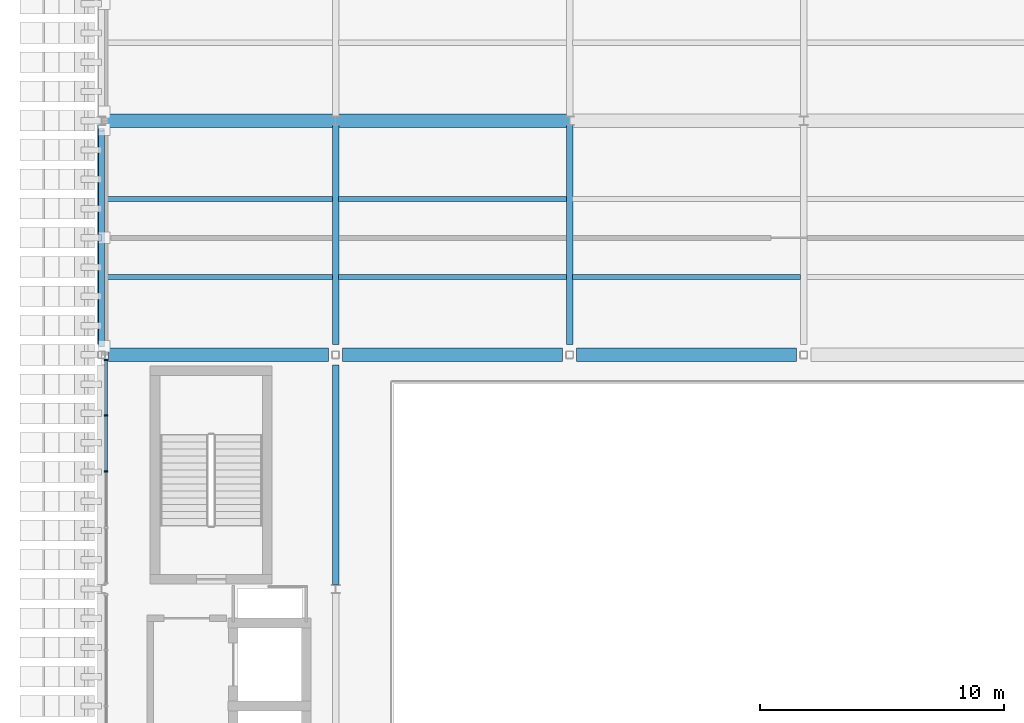
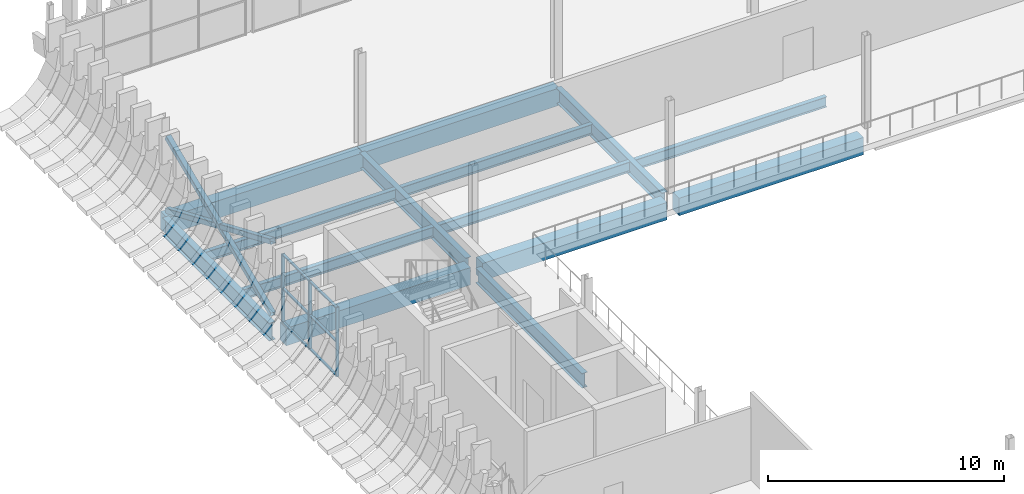
# One storey, part 21 of 100: 14 beams, 12 members, 1 element without a shape of its own.
"""IFC4 building model written with IfcOpenShell, lengths in metres."""

from ifc_helpers import new_model, si_unit, direction, frame, origin, origin_2d, place, context, subcontext, project, spatial, rectangle, hollow_rectangle, i_section, extrude, material, layer, layer_set, material_profile, profile_set, type_object, element, aggregate, save


model = new_model("IFC4")

# Units and contexts
model_context = context("Model", 3, precision=1e-05, world=origin(), true_north=direction((0.0, 1.0)))
body_context = subcontext(model_context, "Body", "Model", "MODEL_VIEW")
ifc_project = project(units=[si_unit("LENGTHUNIT", "METRE"), si_unit("AREAUNIT", "SQUARE_METRE"), si_unit("VOLUMEUNIT", "CUBIC_METRE"), si_unit("PLANEANGLEUNIT", "RADIAN"), si_unit("MASSUNIT", "GRAM", prefix="KILO")], contexts=[model_context])

# Site, building, storey
site_placement = place(None, origin())
site = spatial("IfcSite", under=ifc_project, at=site_placement, CompositionType="ELEMENT")
building_placement = place(site_placement, origin())
building = spatial("IfcBuilding", under=site, at=building_placement, Name="Caelomonte Colonnade Arena", CompositionType="ELEMENT")
storey_placement = place(building_placement, origin())
storey = spatial("IfcBuildingStorey", under=building, at=storey_placement, Name="L00", CompositionType="ELEMENT", Elevation=0.0)

# Curtain wall, members
ifc_material_1 = material(Name="Bronze anodised aluminium and low-E glazing", Category="aluminium")
ifc_layer = layer(ifc_material_1, 0.179931640625)
ifc_layer_set = layer_set([ifc_layer], Name="Bronze anodised aluminium and low-E glazing")
curtain_wall_type = type_object("IfcCurtainWallType", Name="ENV-CW-CW-L00-96-36", PredefinedType="USERDEFINED", material=ifc_layer_set)
curtain_wall_placement = place(storey_placement, origin())
curtain_wall = element("IfcCurtainWall", 1, at=curtain_wall_placement, inside=storey, type_object=curtain_wall_type, Name="L00 unitized curtain wall CW-L00-0002-0624", ObjectType="UNITIZED CURTAIN WALL", PredefinedType="USERDEFINED")
ifc_material_2 = material(Name="Bronze anodised aluminium AA6063-T6", Category="aluminium")
ifc_material_profile_1 = material_profile(ifc_material_2, rectangle(XDim=0.06494140625, YDim=0.14990234375, at=origin_2d()), Name="CWM-65X150")
ifc_profile_set_1 = profile_set([ifc_material_profile_1], Name="Bronze anodised aluminium AA6063-T6")
member_type_1 = type_object("IfcMemberType", Name="ENV-CW-MULL2", PredefinedType="MULLION", material=ifc_profile_set_1)
member_1_placement = place(storey_placement, frame((0.179931640625, 66.9951171875, 0.0), z_axis=(0.0, 0.0, 1.0), x_axis=(0.0, -1.0, 0.0)))
member_1 = element("IfcMember", 2, at=member_1_placement, type_object=member_type_1, Name="CW-L00-96-36 mullion 1", PredefinedType="MULLION", context=body_context, shape_type="SweptSolid", body=[
    extrude(rectangle(XDim=0.06494140625, YDim=0.14990234375, at=origin_2d()), origin(), (0.0, 0.0, 1.0), 3.572998046875),
])
member_2_placement = place(storey_placement, frame((0.179931640625, 64.7216796875, 0.0), z_axis=(0.0, 0.0, 1.0), x_axis=(0.0, -1.0, 0.0)))
member_2 = element("IfcMember", 3, at=member_2_placement, type_object=member_type_1, Name="CW-L00-96-36 mullion 2", PredefinedType="MULLION", context=body_context, shape_type="SweptSolid", body=[
    extrude(rectangle(XDim=0.06494140625, YDim=0.14990234375, at=origin_2d()), origin(), (0.0, 0.0, 1.0), 3.572998046875),
])
member_3_placement = place(storey_placement, frame((0.179931640625, 62.416015625, 0.0), z_axis=(0.0, 0.0, 1.0), x_axis=(0.0, -1.0, 0.0)))
member_3 = element("IfcMember", 4, at=member_3_placement, type_object=member_type_1, Name="CW-L00-96-36 mullion 3", PredefinedType="MULLION", context=body_context, shape_type="SweptSolid", body=[
    extrude(rectangle(XDim=0.06494140625, YDim=0.14990234375, at=origin_2d()), origin(), (0.0, 0.0, 1.0), 3.572998046875),
])
ifc_material_profile_2 = material_profile(ifc_material_2, rectangle(XDim=0.06494140625, YDim=0.1201171875, at=origin_2d()), Name="CWT-65X120")
ifc_profile_set_2 = profile_set([ifc_material_profile_2], Name="Bronze anodised aluminium AA6063-T6")
member_type_2 = type_object("IfcMemberType", Name="ENV-CW-TRAN2", PredefinedType="USERDEFINED", material=ifc_profile_set_2)
member_4_placement = place(storey_placement, frame((0.179931640625, 66.962646484375, 0.032470703125), z_axis=(0.0, -1.0, 0.0), x_axis=(0.0, 0.0, 1.0)))
member_4 = element("IfcMember", 5, at=member_4_placement, type_object=member_type_2, Name="CW-L00-96-36 transom 1.1", ObjectType="TRANSOM", PredefinedType="USERDEFINED", context=body_context, shape_type="SweptSolid", body=[
    extrude(rectangle(XDim=0.06494140625, YDim=0.1201171875, at=origin_2d()), origin(), (0.0, 0.0, 1.0), 2.208251953125),
])
member_5_placement = place(storey_placement, frame((0.179931640625, 66.962646484375, 1.78662109375), z_axis=(0.0, -1.0, 0.0), x_axis=(0.0, 0.0, 1.0)))
member_5 = element("IfcMember", 6, at=member_5_placement, type_object=member_type_2, Name="CW-L00-96-36 transom 1.2", ObjectType="TRANSOM", PredefinedType="USERDEFINED", context=body_context, shape_type="SweptSolid", body=[
    extrude(rectangle(XDim=0.06494140625, YDim=0.1201171875, at=origin_2d()), origin(), (0.0, 0.0, 1.0), 2.208251953125),
])
member_6_placement = place(storey_placement, frame((0.179931640625, 66.962646484375, 3.54052734375), z_axis=(0.0, -1.0, 0.0), x_axis=(0.0, 0.0, 1.0)))
member_6 = element("IfcMember", 7, at=member_6_placement, type_object=member_type_2, Name="CW-L00-96-36 transom 1.3", ObjectType="TRANSOM", PredefinedType="USERDEFINED", context=body_context, shape_type="SweptSolid", body=[
    extrude(rectangle(XDim=0.06494140625, YDim=0.1201171875, at=origin_2d()), origin(), (0.0, 0.0, 1.0), 2.208251953125),
])
member_7_placement = place(storey_placement, frame((0.179931640625, 64.689208984375, 0.032470703125), z_axis=(0.0, -1.0, 0.0), x_axis=(0.0, 0.0, 1.0)))
member_7 = element("IfcMember", 8, at=member_7_placement, type_object=member_type_2, Name="CW-L00-96-36 transom 2.1", ObjectType="TRANSOM", PredefinedType="USERDEFINED", context=body_context, shape_type="SweptSolid", body=[
    extrude(rectangle(XDim=0.06494140625, YDim=0.1201171875, at=origin_2d()), origin(), (0.0, 0.0, 1.0), 2.24072265625),
])
member_8_placement = place(storey_placement, frame((0.179931640625, 64.689208984375, 1.78662109375), z_axis=(0.0, -1.0, 0.0), x_axis=(0.0, 0.0, 1.0)))
member_8 = element("IfcMember", 9, at=member_8_placement, type_object=member_type_2, Name="CW-L00-96-36 transom 2.2", ObjectType="TRANSOM", PredefinedType="USERDEFINED", context=body_context, shape_type="SweptSolid", body=[
    extrude(rectangle(XDim=0.06494140625, YDim=0.1201171875, at=origin_2d()), origin(), (0.0, 0.0, 1.0), 2.24072265625),
])
member_9_placement = place(storey_placement, frame((0.179931640625, 64.689208984375, 3.54052734375), z_axis=(0.0, -1.0, 0.0), x_axis=(0.0, 0.0, 1.0)))
member_9 = element("IfcMember", 10, at=member_9_placement, type_object=member_type_2, Name="CW-L00-96-36 transom 2.3", ObjectType="TRANSOM", PredefinedType="USERDEFINED", context=body_context, shape_type="SweptSolid", body=[
    extrude(rectangle(XDim=0.06494140625, YDim=0.1201171875, at=origin_2d()), origin(), (0.0, 0.0, 1.0), 2.24072265625),
])
aggregate(curtain_wall, [member_1, member_2, member_3, member_4, member_5, member_6, member_7, member_8, member_9])

# Members
ifc_material_3 = material(Name="Steel ASTM A500 Grade C", Category="steel")
ifc_material_profile_3 = material_profile(ifc_material_3, hollow_rectangle(XDim=0.25390625, YDim=0.25390625, WallThickness=0.009521484375, InnerFilletRadius=0.009521484375, OuterFilletRadius=0.01904296875, at=origin_2d()), Name="HSS254X254X9.5")
ifc_profile_set_3 = profile_set([ifc_material_profile_3], Name="Steel ASTM A500 Grade C")
member_type_3 = type_object("IfcMemberType", Name="STR-BF-DIAG2", PredefinedType="BRACE", material=ifc_profile_set_3)
member_10_placement = place(storey_placement, frame((0.0, 67.563720703125, 0.16162109375), z_axis=(0.0, 0.920106108092, 0.3916691842), x_axis=(-1.0, 0.0, 0.0)))
element("IfcMember", 11, at=member_10_placement, inside=storey, type_object=member_type_3, Name="Braced frame BF1 L00 continuous diagonal A", PredefinedType="BRACE", context=body_context, shape_type="SweptSolid", body=[
    extrude(hollow_rectangle(XDim=0.25390625, YDim=0.25390625, WallThickness=0.009521484375, InnerFilletRadius=0.009521484375, OuterFilletRadius=0.01904296875, at=origin_2d()), origin(), (0.0, 0.0, 1.0), 9.64306640625),
])
for number, where, z_axis, x_axis, name in (
    (12, (0.0, 76.436279296875, 0.16162109375), (0.0, -0.920123691246, 0.391627875423), (1.0, 0.0, 0.0), "Braced frame BF1 L00 split diagonal B1"),
    (13, (0.0, 71.84912109375, 2.1142578125), (0.0, -0.920104801315, 0.391672254055), (1.0, 0.0, 0.0), "Braced frame BF1 L00 split diagonal B2"),
):
    element("IfcMember", number, at=place(storey_placement, frame(where, z_axis=z_axis, x_axis=x_axis)), inside=storey, type_object=member_type_3, Name=name, PredefinedType="BRACE", context=body_context, shape_type="SweptSolid", body=[
        extrude(hollow_rectangle(XDim=0.25390625, YDim=0.25390625, WallThickness=0.009521484375, InnerFilletRadius=0.009521484375, OuterFilletRadius=0.01904296875, at=origin_2d()), origin(), (0.0, 0.0, 1.0), 4.657470703125),
    ])

# Beams
ifc_material_4 = material(Name="Wide-flange steel ASTM A992 Grade 50", Category="steel")
ifc_material_profile_4 = material_profile(ifc_material_4, i_section(OverallWidth=0.307861328125, OverallDepth=0.927001953125, WebThickness=0.019287109375, FlangeThickness=0.031982421875, FilletRadius=0.020263671875, at=origin_2d()), Name="W36X194")
ifc_profile_set_4 = profile_set([ifc_material_profile_4], Name="Wide-flange steel ASTM A992 Grade 50")
beam_type_1 = type_object("IfcBeamType", Name="STR-BM-EAVES2", PredefinedType="SPANDREL", material=ifc_profile_set_4)
beam_1_placement = place(storey_placement, frame((0.0, 67.616943359375, -0.763427734375), z_axis=(0.0, 1.0, 0.0), x_axis=(-1.0, 0.0, 0.0)))
element("IfcBeam", 14, at=beam_1_placement, inside=storey, type_object=beam_type_1, Name="L00 girder BMY-L00-0000-0672", PredefinedType="SPANDREL", context=body_context, shape_type="SweptSolid", body=[
    extrude(i_section(OverallWidth=0.307861328125, OverallDepth=0.927001953125, WebThickness=0.019287109375, FlangeThickness=0.031982421875, FilletRadius=0.020263671875, at=origin_2d()), origin(), (0.0, 0.0, 1.0), 9.0048828125),
])
ifc_material_profile_5 = material_profile(ifc_material_4, i_section(OverallWidth=0.2666015625, OverallDepth=0.761962890625, WebThickness=0.014404296875, FlangeThickness=0.021484375, FilletRadius=0.0166015625, at=origin_2d()), Name="W30X116")
ifc_profile_set_5 = profile_set([ifc_material_profile_5], Name="Wide-flange steel ASTM A992 Grade 50")
beam_type_2 = type_object("IfcBeamType", Name="STR-BM-GIRD30", PredefinedType="BEAM", material=ifc_profile_set_5)
beam_2_placement = place(storey_placement, frame((9.60009765625, 57.7783203125, -0.680908203125), z_axis=(0.0, 1.0, 0.0), x_axis=(-1.0, 0.0, 0.0)))
element("IfcBeam", 15, at=beam_2_placement, inside=storey, type_object=beam_type_2, Name="L00 girder BMY-L00-0096-0576", PredefinedType="BEAM", context=body_context, shape_type="SweptSolid", body=[
    extrude(i_section(OverallWidth=0.2666015625, OverallDepth=0.761962890625, WebThickness=0.014404296875, FlangeThickness=0.021484375, FilletRadius=0.0166015625, at=origin_2d()), origin(), (0.0, 0.0, 1.0), 9.004638671875),
])
for number, where, z_axis, x_axis, name in (
    (16, (9.60009765625, 67.616943359375, -0.680908203125), (0.0, 1.0, 0.0), (-1.0, 0.0, 0.0), "L00 girder BMY-L00-0096-0672"),
    (17, (19.199951171875, 67.616943359375, -0.680908203125), (0.0, 1.0, 0.0), (-1.0, 0.0, 0.0), "L00 girder BMY-L00-0192-0672"),
):
    element("IfcBeam", number, at=place(storey_placement, frame(where, z_axis=z_axis, x_axis=x_axis)), inside=storey, type_object=beam_type_2, Name=name, PredefinedType="BEAM", context=body_context, shape_type="SweptSolid", body=[
        extrude(i_section(OverallWidth=0.2666015625, OverallDepth=0.761962890625, WebThickness=0.014404296875, FlangeThickness=0.021484375, FilletRadius=0.0166015625, at=origin_2d()), origin(), (0.0, 0.0, 1.0), 9.0048828125),
    ])
ifc_material_profile_6 = material_profile(ifc_material_4, i_section(OverallWidth=0.209228515625, OverallDepth=0.533447265625, WebThickness=0.01025390625, FlangeThickness=0.015625, FilletRadius=0.0126953125, at=origin_2d()), Name="W21X62")
ifc_profile_set_6 = profile_set([ifc_material_profile_6], Name="Wide-flange steel ASTM A992 Grade 50")
beam_type_3 = type_object("IfcBeamType", Name="STR-BM-JOIST21", PredefinedType="JOIST", material=ifc_profile_set_6)
for number, where, z_axis, x_axis, name in (
    (18, (0.14892578125, 70.39990234375, -0.566650390625), (1.0, 0.0, 0.0), (0.0, 1.0, 0.0), "L00 secondary joist 1"),
    (19, (0.14892578125, 73.60009765625, -0.566650390625), (1.0, 0.0, 0.0), (0.0, 1.0, 0.0), "L00 secondary joist 2"),
):
    element("IfcBeam", number, at=place(storey_placement, frame(where, z_axis=z_axis, x_axis=x_axis)), inside=storey, type_object=beam_type_3, Name=name, PredefinedType="JOIST", context=body_context, shape_type="SweptSolid", body=[
        extrude(i_section(OverallWidth=0.209228515625, OverallDepth=0.533447265625, WebThickness=0.01025390625, FlangeThickness=0.015625, FilletRadius=0.0126953125, at=origin_2d()), origin(), (0.0, 0.0, 1.0), 9.32275390625),
    ])
for number, where, z_axis, x_axis, name in (
    (20, (9.728271484375, 70.39990234375, -0.566650390625), (1.0, 0.0, 0.0), (0.0, 1.0, 0.0), "L00 secondary joist 1"),
    (21, (9.728271484375, 73.60009765625, -0.566650390625), (1.0, 0.0, 0.0), (0.0, 1.0, 0.0), "L00 secondary joist 2"),
    (22, (19.328369140625, 70.39990234375, -0.566650390625), (1.0, 0.0, 0.0), (0.0, 1.0, 0.0), "L00 secondary joist 1"),
):
    element("IfcBeam", number, at=place(storey_placement, frame(where, z_axis=z_axis, x_axis=x_axis)), inside=storey, type_object=beam_type_3, Name=name, PredefinedType="JOIST", context=body_context, shape_type="SweptSolid", body=[
        extrude(i_section(OverallWidth=0.209228515625, OverallDepth=0.533447265625, WebThickness=0.01025390625, FlangeThickness=0.015625, FilletRadius=0.0126953125, at=origin_2d()), origin(), (0.0, 0.0, 1.0), 9.34326171875),
    ])
ifc_material_5 = material(Name="Concrete C40/50", Category="concrete")
ifc_material_profile_7 = material_profile(ifc_material_5, rectangle(XDim=0.550048828125, YDim=0.89990234375, at=origin_2d()), Name="RC550X900")
ifc_profile_set_7 = profile_set([ifc_material_profile_7], Name="Concrete C40/50")
beam_type_4 = type_object("IfcBeamType", Name="STR-BM-RC55", PredefinedType="BEAM", material=ifc_profile_set_7)
beam_3_placement = place(storey_placement, frame((0.2919921875, 67.199951171875, -0.75), z_axis=(1.0, 0.0, 0.0), x_axis=(0.0, 1.0, 0.0)))
element("IfcBeam", 23, at=beam_3_placement, inside=storey, type_object=beam_type_4, Name="L00 girder BMX-L00-0000-0672", PredefinedType="BEAM", context=body_context, shape_type="SweptSolid", body=[
    extrude(rectangle(XDim=0.550048828125, YDim=0.89990234375, at=origin_2d()), origin(), (0.0, 0.0, 1.0), 9.01611328125),
])
beam_4_placement = place(storey_placement, frame((9.89208984375, 67.199951171875, -0.75), z_axis=(1.0, 0.0, 0.0), x_axis=(0.0, 1.0, 0.0)))
element("IfcBeam", 24, at=beam_4_placement, inside=storey, type_object=beam_type_4, Name="L00 girder BMX-L00-0096-0672", PredefinedType="BEAM", context=body_context, shape_type="SweptSolid", body=[
    extrude(rectangle(XDim=0.550048828125, YDim=0.89990234375, at=origin_2d()), origin(), (0.0, 0.0, 1.0), 9.015869140625),
])
beam_5_placement = place(storey_placement, frame((19.491943359375, 67.199951171875, -0.75), z_axis=(1.0, 0.0, 0.0), x_axis=(0.0, 1.0, 0.0)))
element("IfcBeam", 25, at=beam_5_placement, inside=storey, type_object=beam_type_4, Name="L00 girder BMX-L00-0192-0672", PredefinedType="BEAM", context=body_context, shape_type="SweptSolid", body=[
    extrude(rectangle(XDim=0.550048828125, YDim=0.89990234375, at=origin_2d()), origin(), (0.0, 0.0, 1.0), 9.01611328125),
])
beam_6_placement = place(storey_placement, frame((0.00830078125, 76.800048828125, -0.75), z_axis=(1.0, 0.0, 0.0), x_axis=(0.0, 1.0, 0.0)))
element("IfcBeam", 26, at=beam_6_placement, inside=storey, type_object=beam_type_4, Name="L00 girder BMX-L00-0000-0768", PredefinedType="BEAM", context=body_context, shape_type="SweptSolid", body=[
    extrude(rectangle(XDim=0.550048828125, YDim=0.89990234375, at=origin_2d()), origin(), (0.0, 0.0, 1.0), 9.58349609375),
])
beam_7_placement = place(storey_placement, frame((9.608154296875, 76.800048828125, -0.75), z_axis=(1.0, 0.0, 0.0), x_axis=(0.0, 1.0, 0.0)))
element("IfcBeam", 27, at=beam_7_placement, inside=storey, type_object=beam_type_4, Name="L00 girder BMX-L00-0096-0768", PredefinedType="BEAM", context=body_context, shape_type="SweptSolid", body=[
    extrude(rectangle(XDim=0.550048828125, YDim=0.89990234375, at=origin_2d()), origin(), (0.0, 0.0, 1.0), 9.583740234375),
])

save(model, "model.ifc")
